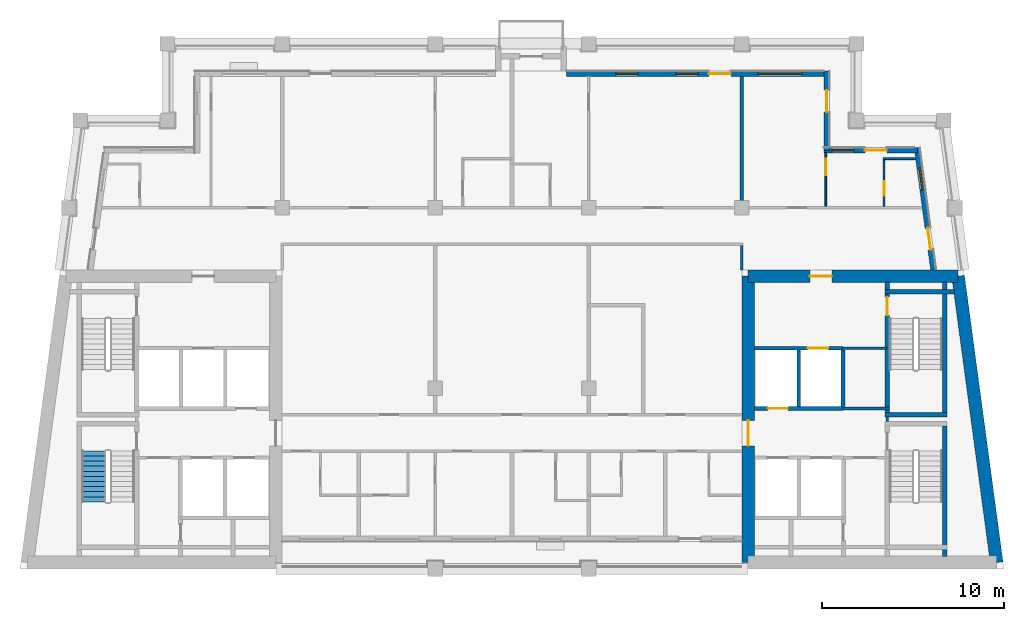
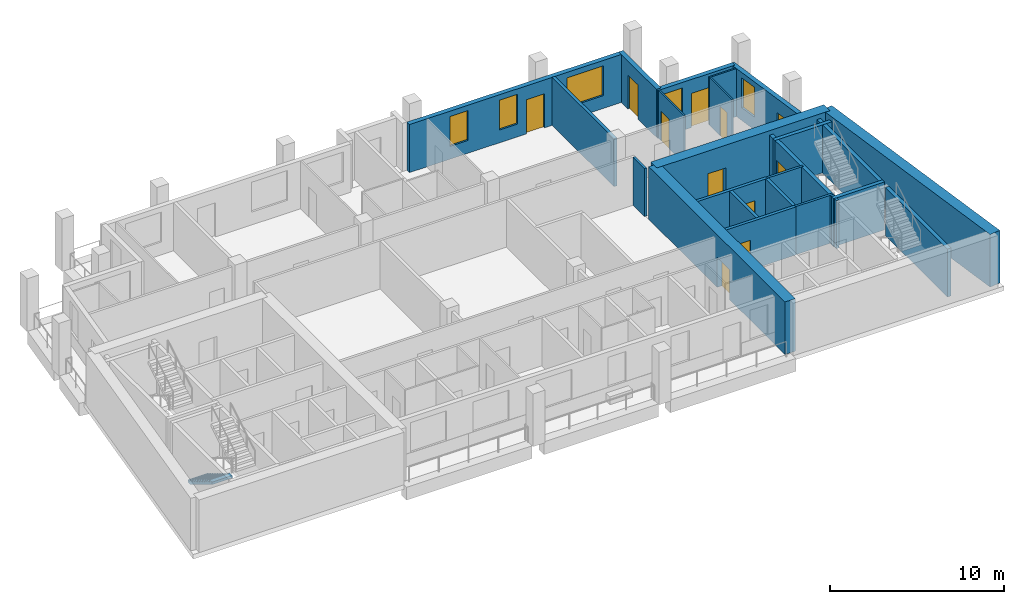
# One storey, part 5 of 10: 24 walls, 11 doors, 5 windows, 1 stair flight, 16 openings, 1 element without a shape of its own.
"""IFC4 building model written with IfcOpenShell, lengths in metres."""

from ifc_helpers import new_model, si_unit, direction, frame, frame_2d, origin, place, context, subcontext, project, spatial, polyline, rectangle, outline, extrude, material, layer, layer_set, type_object, element, fill, aggregate, save


model = new_model("IFC4")

# Units and contexts
model_context = context("Model", 3, precision=1e-05, world=origin(), true_north=direction((0.0, 1.0)))
body_context = subcontext(model_context, "Body", "Model", "MODEL_VIEW")
ifc_project = project(units=[si_unit("LENGTHUNIT", "METRE"), si_unit("AREAUNIT", "SQUARE_METRE"), si_unit("VOLUMEUNIT", "CUBIC_METRE"), si_unit("PLANEANGLEUNIT", "RADIAN"), si_unit("MASSUNIT", "GRAM", prefix="KILO")], contexts=[model_context])

# Site, building, storey
site_placement = place(None, origin())
site = spatial("IfcSite", under=ifc_project, at=site_placement, CompositionType="ELEMENT")
building_placement = place(site_placement, origin())
building = spatial("IfcBuilding", under=site, at=building_placement, Name="Candeia Pilgrim Tower and Theatre", CompositionType="ELEMENT")
storey_placement = place(building_placement, frame((0.0, 0.0, 284.89990234375)))
storey = spatial("IfcBuildingStorey", under=building, at=storey_placement, Name="L69", CompositionType="ELEMENT", Elevation=284.89990234375)

# Wall, opening, door
ifc_material_1 = material(Name="Concrete C40/50", Category="concrete")
ifc_layer_1 = layer(ifc_material_1, 0.699951171875)
ifc_layer_set_1 = layer_set([ifc_layer_1], Name="Core wall 700 C40/50")
wall_type_1 = type_object("IfcWallType", Name="Core wall 700 C40/50", PredefinedType="SHEAR", material=ifc_layer_set_1)
wall_1_placement = place(storey_placement, frame((126.35009765625, 132.050048828125, 0.0), z_axis=(0.0, 0.0, 1.0), x_axis=(1.0, 0.0, 0.0)))
wall_1 = element("IfcWall", 1, at=wall_1_placement, inside=storey, type_object=wall_type_1, Name="Core wall E1", PredefinedType="SHEAR", context=body_context, shape_type="SweptSolid", body=[
    extrude(rectangle(XDim=11.51318359375, YDim=0.699951171875, at=frame_2d((5.756591796875, 0.0))), origin(), (0.0, 0.0, 1.0), 3.7001953125),
])
opening_1_placement = place(wall_1_placement, frame((3.386474609375, 0.0, 0.0)))
opening_1 = element("IfcOpeningElement", 2, at=opening_1_placement, cuts=wall_1, Name="Opening L69-D038", PredefinedType="OPENING", context=body_context, shape_type="SweptSolid", body=[
    extrude(rectangle(XDim=1.199951171875, YDim=2.10009765625, at=frame_2d((0.60009765625, 1.050048828125))), frame((0.0, 0.35986328125, 0.0), z_axis=(0.0, -1.0, 0.0), x_axis=(1.0, 0.0, 0.0)), (0.0, 0.0, 1.0), 0.719970703125),
])
ifc_material_2 = material(Name="Steel fire door set", Category="steel")
door_type_1 = type_object("IfcDoorType", Name="D-1200-FD60", OperationType="NOTDEFINED", PredefinedType="DOOR", material=ifc_material_2)
door_1_placement = place(opening_1_placement, origin())
door_1 = element("IfcDoor", 3, at=door_1_placement, inside=storey, type_object=door_type_1, Name="Door L69-D038", OperationType="SINGLE_SWING_LEFT", OverallHeight=2.10009765625, OverallWidth=1.199951171875, PredefinedType="DOOR", context=body_context, shape_type="SweptSolid", body=[
    extrude(rectangle(XDim=1.199951171875, YDim=2.10009765625, at=frame_2d((0.60009765625, 1.050048828125))), frame((0.0, 0.02490234375, 0.0), z_axis=(0.0, -1.0, 0.0), x_axis=(1.0, 0.0, 0.0)), (0.0, 0.0, 1.0), 0.050048828125),
])
fill(opening_1, door_1)

# Wall
wall_2_placement = place(storey_placement, frame((137.86328125, 132.050048828125, 0.0), z_axis=(0.0, 0.0, 1.0), x_axis=(0.133401241494, -0.991062111458, 0.0)))
element("IfcWall", 4, at=wall_2_placement, inside=storey, type_object=wall_type_1, Name="Core wall E2", PredefinedType="SHEAR", context=body_context, shape_type="SweptSolid", body=[
    extrude(rectangle(XDim=15.841552734375, YDim=0.699951171875, at=frame_2d((7.9208984375, 0.0))), origin(), (0.0, 0.0, 1.0), 3.7001953125),
])

# Wall, opening, door
wall_3_placement = place(storey_placement, frame((126.35009765625, 116.35009765625, 0.0), z_axis=(0.0, 0.0, 1.0), x_axis=(0.0, 1.0, 0.0)))
wall_3 = element("IfcWall", 5, at=wall_3_placement, inside=storey, type_object=wall_type_1, Name="Core wall E4", PredefinedType="SHEAR", context=body_context, shape_type="SweptSolid", body=[
    extrude(rectangle(XDim=15.699951171875, YDim=0.699951171875, at=frame_2d((7.85009765625, 0.0))), origin(), (0.0, 0.0, 1.0), 3.7001953125),
])
opening_2_placement = place(wall_3_placement, frame((6.39990234375, 0.0, 0.0)))
opening_2 = element("IfcOpeningElement", 6, at=opening_2_placement, cuts=wall_3, Name="Opening L69-D039", PredefinedType="OPENING", context=body_context, shape_type="SweptSolid", body=[
    extrude(rectangle(XDim=1.39990234375, YDim=2.10009765625, at=frame_2d((0.699951171875, 1.050048828125))), frame((0.0, 0.35986328125, 0.0), z_axis=(0.0, -1.0, 0.0), x_axis=(1.0, 0.0, 0.0)), (0.0, 0.0, 1.0), 0.719970703125),
])
door_type_2 = type_object("IfcDoorType", Name="D-1400-FD60", OperationType="NOTDEFINED", PredefinedType="DOOR", material=ifc_material_2)
door_2_placement = place(opening_2_placement, origin())
door_2 = element("IfcDoor", 7, at=door_2_placement, inside=storey, type_object=door_type_2, Name="Door L69-D039", OperationType="SINGLE_SWING_RIGHT", OverallHeight=2.10009765625, OverallWidth=1.39990234375, PredefinedType="DOOR", context=body_context, shape_type="SweptSolid", body=[
    extrude(rectangle(XDim=1.39990234375, YDim=2.10009765625, at=frame_2d((0.699951171875, 1.050048828125))), frame((0.0, 0.02490234375, 0.0), z_axis=(0.0, -1.0, 0.0), x_axis=(1.0, 0.0, 0.0)), (0.0, 0.0, 1.0), 0.050048828125),
])
fill(opening_2, door_2)

# Wall, openings, door, window
ifc_material_3 = material(Name="Ceramic block masonry", Category="masonry")
ifc_layer_2 = layer(ifc_material_3, 0.300048828125)
ifc_layer_set_2 = layer_set([ifc_layer_2], Name="EW1 glazing-line wall 300")
wall_type_2 = type_object("IfcWallType", Name="EW1 glazing-line wall 300", PredefinedType="SOLIDWALL", material=ifc_layer_set_2)
wall_4_placement = place(storey_placement, frame((136.50439453125, 132.39990234375, 0.0), z_axis=(0.0, 0.0, 1.0), x_axis=(-0.133399697462, 0.99106231929, 0.0)))
wall_4 = element("IfcWall", 8, at=wall_4_placement, inside=storey, type_object=wall_type_2, Name="External wall L69-2.0", PredefinedType="SOLIDWALL", context=body_context, shape_type="SweptSolid", body=[
    extrude(rectangle(XDim=6.740478515625, YDim=0.300048828125, at=frame_2d((3.3701171875, 0.0))), origin(), (0.0, 0.0, 1.0), 3.380126953125),
])
opening_3_placement = place(wall_4_placement, frame((1.115234375, 0.0, 0.0)))
opening_3 = element("IfcOpeningElement", 9, at=opening_3_placement, cuts=wall_4, Name="Opening L69-ED647", PredefinedType="OPENING", context=body_context, shape_type="SweptSolid", body=[
    extrude(rectangle(XDim=1.199951171875, YDim=2.39990234375, at=frame_2d((0.60009765625, 1.199951171875))), frame((0.0, 0.16015625, 0.0), z_axis=(0.0, -1.0, 0.0), x_axis=(1.0, 0.0, 0.0)), (0.0, 0.0, 1.0), 0.320068359375),
])
opening_4_placement = place(wall_4_placement, frame((4.435546875, 0.0, 0.89990234375)))
opening_4 = element("IfcOpeningElement", 10, at=opening_4_placement, cuts=wall_4, Name="Opening W-B", PredefinedType="OPENING", context=body_context, shape_type="SweptSolid", body=[
    extrude(rectangle(XDim=1.199951171875, YDim=2.10009765625, at=frame_2d((0.60009765625, 1.050048828125))), frame((0.0, 0.16015625, 0.0), z_axis=(0.0, -1.0, 0.0), x_axis=(1.0, 0.0, 0.0)), (0.0, 0.0, 1.0), 0.320068359375),
])
ifc_material_4 = material(Name="Aluminium framed glazed door", Category="aluminium")
door_type_3 = type_object("IfcDoorType", Name="Loggia door 1200x2400", OperationType="DOUBLE_DOOR_SINGLE_SWING", PredefinedType="DOOR", material=ifc_material_4)
door_3_placement = place(opening_3_placement, origin())
door_3 = element("IfcDoor", 11, at=door_3_placement, inside=storey, type_object=door_type_3, Name="Loggia door L69-ED647", OperationType="DOUBLE_DOOR_SINGLE_SWING", OverallHeight=2.39990234375, OverallWidth=1.199951171875, PredefinedType="DOOR", context=body_context, shape_type="SweptSolid", body=[
    extrude(rectangle(XDim=1.199951171875, YDim=2.39990234375, at=frame_2d((0.60009765625, 1.199951171875))), frame((0.0, 0.02490234375, 0.0), z_axis=(0.0, -1.0, 0.0), x_axis=(1.0, 0.0, 0.0)), (0.0, 0.0, 1.0), 0.050048828125),
])
fill(opening_3, door_3)
ifc_material_5 = material(Name="Aluminium framed double glazing", Category="aluminium")
window_type_1 = type_object("IfcWindowType", Name="W-B window 1200x2100", PartitioningType="SINGLE_PANEL", PredefinedType="WINDOW", material=ifc_material_5)
window_1_placement = place(opening_4_placement, origin())
window_1 = element("IfcWindow", 12, at=window_1_placement, inside=storey, type_object=window_type_1, Name="Window W-B L69", OverallHeight=2.10009765625, OverallWidth=1.199951171875, PartitioningType="SINGLE_PANEL", PredefinedType="WINDOW", context=body_context, shape_type="SweptSolid", body=[
    extrude(rectangle(XDim=1.199951171875, YDim=2.10009765625, at=frame_2d((0.60009765625, 1.050048828125))), frame((0.0, 0.030029296875, 0.0), z_axis=(0.0, -1.0, 0.0), x_axis=(1.0, 0.0, 0.0)), (0.0, 0.0, 1.0), 0.06005859375),
])
fill(opening_4, window_1)

wall_5_placement = place(storey_placement, frame((135.62255859375, 138.949951171875, 0.0), z_axis=(0.0, 0.0, 1.0), x_axis=(-1.0, 0.0, 0.0)))
wall_5 = element("IfcWall", 13, at=wall_5_placement, inside=storey, type_object=wall_type_2, Name="External wall L69-3.0", PredefinedType="SOLIDWALL", context=body_context, shape_type="SweptSolid", body=[
    extrude(rectangle(XDim=5.12255859375, YDim=0.300048828125, at=frame_2d((2.561279296875, 0.0))), origin(), (0.0, 0.0, 1.0), 3.380126953125),
])
opening_5_placement = place(wall_5_placement, frame((1.672607421875, 0.0, 0.0)))
opening_5 = element("IfcOpeningElement", 14, at=opening_5_placement, cuts=wall_5, Name="Opening L69-ED648", PredefinedType="OPENING", context=body_context, shape_type="SweptSolid", body=[
    extrude(rectangle(XDim=1.199951171875, YDim=2.39990234375, at=frame_2d((0.60009765625, 1.199951171875))), frame((0.0, 0.16015625, 0.0), z_axis=(0.0, -1.0, 0.0), x_axis=(1.0, 0.0, 0.0)), (0.0, 0.0, 1.0), 0.320068359375),
])
opening_6_placement = place(wall_5_placement, frame((3.47265625, 0.0, 0.89990234375)))
opening_6 = element("IfcOpeningElement", 15, at=opening_6_placement, cuts=wall_5, Name="Opening W-B", PredefinedType="OPENING", context=body_context, shape_type="SweptSolid", body=[
    extrude(rectangle(XDim=1.199951171875, YDim=2.10009765625, at=frame_2d((0.60009765625, 1.050048828125))), frame((0.0, 0.16015625, 0.0), z_axis=(0.0, -1.0, 0.0), x_axis=(1.0, 0.0, 0.0)), (0.0, 0.0, 1.0), 0.320068359375),
])
door_4_placement = place(opening_5_placement, origin())
door_4 = element("IfcDoor", 16, at=door_4_placement, inside=storey, type_object=door_type_3, Name="Loggia door L69-ED648", OperationType="DOUBLE_DOOR_SINGLE_SWING", OverallHeight=2.39990234375, OverallWidth=1.199951171875, PredefinedType="DOOR", context=body_context, shape_type="SweptSolid", body=[
    extrude(rectangle(XDim=1.199951171875, YDim=2.39990234375, at=frame_2d((0.60009765625, 1.199951171875))), frame((0.0, 0.02490234375, 0.0), z_axis=(0.0, -1.0, 0.0), x_axis=(1.0, 0.0, 0.0)), (0.0, 0.0, 1.0), 0.050048828125),
])
fill(opening_5, door_4)
window_2_placement = place(opening_6_placement, origin())
window_2 = element("IfcWindow", 17, at=window_2_placement, inside=storey, type_object=window_type_1, Name="Window W-B L69", OverallHeight=2.10009765625, OverallWidth=1.199951171875, PartitioningType="SINGLE_PANEL", PredefinedType="WINDOW", context=body_context, shape_type="SweptSolid", body=[
    extrude(rectangle(XDim=1.199951171875, YDim=2.10009765625, at=frame_2d((0.60009765625, 1.050048828125))), frame((0.0, 0.030029296875, 0.0), z_axis=(0.0, -1.0, 0.0), x_axis=(1.0, 0.0, 0.0)), (0.0, 0.0, 1.0), 0.06005859375),
])
fill(opening_6, window_2)

# Wall, opening, door
wall_6_placement = place(storey_placement, frame((130.64990234375, 138.949951171875, 0.0), z_axis=(0.0, 0.0, 1.0), x_axis=(0.0, 1.0, 0.0)))
wall_6 = element("IfcWall", 18, at=wall_6_placement, inside=storey, type_object=wall_type_2, Name="External wall L69-4.0", PredefinedType="SOLIDWALL", context=body_context, shape_type="SweptSolid", body=[
    extrude(rectangle(XDim=4.35009765625, YDim=0.300048828125, at=frame_2d((2.175048828125, 0.0))), origin(), (0.0, 0.0, 1.0), 3.380126953125),
])
opening_7_placement = place(wall_6_placement, frame((2.10009765625, 0.0, 0.0)))
opening_7 = element("IfcOpeningElement", 19, at=opening_7_placement, cuts=wall_6, Name="Opening L69-ED649", PredefinedType="OPENING", context=body_context, shape_type="SweptSolid", body=[
    extrude(rectangle(XDim=1.199951171875, YDim=2.39990234375, at=frame_2d((0.60009765625, 1.199951171875))), frame((0.0, 0.16015625, 0.0), z_axis=(0.0, -1.0, 0.0), x_axis=(1.0, 0.0, 0.0)), (0.0, 0.0, 1.0), 0.320068359375),
])
door_5_placement = place(opening_7_placement, origin())
door_5 = element("IfcDoor", 20, at=door_5_placement, inside=storey, type_object=door_type_3, Name="Loggia door L69-ED649", OperationType="DOUBLE_DOOR_SINGLE_SWING", OverallHeight=2.39990234375, OverallWidth=1.199951171875, PredefinedType="DOOR", context=body_context, shape_type="SweptSolid", body=[
    extrude(rectangle(XDim=1.199951171875, YDim=2.39990234375, at=frame_2d((0.60009765625, 1.199951171875))), frame((0.0, 0.02490234375, 0.0), z_axis=(0.0, -1.0, 0.0), x_axis=(1.0, 0.0, 0.0)), (0.0, 0.0, 1.0), 0.050048828125),
])
fill(opening_7, door_5)

# Wall, openings, door, windows
wall_7_placement = place(storey_placement, frame((130.64990234375, 143.14990234375, 0.0), z_axis=(0.0, 0.0, 1.0), x_axis=(-1.0, 0.0, 0.0)))
wall_7 = element("IfcWall", 21, at=wall_7_placement, inside=storey, type_object=wall_type_2, Name="External wall L69-5.0", PredefinedType="SOLIDWALL", context=body_context, shape_type="SweptSolid", body=[
    extrude(rectangle(XDim=14.25, YDim=0.300048828125, at=frame_2d((7.125, 0.0))), origin(), (0.0, 0.0, 1.0), 3.380126953125),
])
opening_8_placement = place(wall_7_placement, frame((1.35009765625, 0.0, 0.89990234375)))
opening_8 = element("IfcOpeningElement", 22, at=opening_8_placement, cuts=wall_7, Name="Opening W-A", PredefinedType="OPENING", context=body_context, shape_type="SweptSolid", body=[
    extrude(rectangle(XDim=2.39990234375, YDim=2.10009765625, at=frame_2d((1.199951171875, 1.050048828125))), frame((0.0, 0.16015625, 0.0), z_axis=(0.0, -1.0, 0.0), x_axis=(1.0, 0.0, 0.0)), (0.0, 0.0, 1.0), 0.320068359375),
])
opening_9_placement = place(wall_7_placement, frame((5.25, 0.0, 0.0)))
opening_9 = element("IfcOpeningElement", 23, at=opening_9_placement, cuts=wall_7, Name="Opening L69-ED650", PredefinedType="OPENING", context=body_context, shape_type="SweptSolid", body=[
    extrude(rectangle(XDim=1.199951171875, YDim=2.39990234375, at=frame_2d((0.60009765625, 1.199951171875))), frame((0.0, 0.16015625, 0.0), z_axis=(0.0, -1.0, 0.0), x_axis=(1.0, 0.0, 0.0)), (0.0, 0.0, 1.0), 0.320068359375),
])
opening_10_placement = place(wall_7_placement, frame((7.050048828125, 0.0, 0.89990234375)))
opening_10 = element("IfcOpeningElement", 24, at=opening_10_placement, cuts=wall_7, Name="Opening W-B", PredefinedType="OPENING", context=body_context, shape_type="SweptSolid", body=[
    extrude(rectangle(XDim=1.199951171875, YDim=2.10009765625, at=frame_2d((0.60009765625, 1.050048828125))), frame((0.0, 0.16015625, 0.0), z_axis=(0.0, -1.0, 0.0), x_axis=(1.0, 0.0, 0.0)), (0.0, 0.0, 1.0), 0.320068359375),
])
opening_11_placement = place(wall_7_placement, frame((10.35009765625, 0.0, 0.89990234375)))
opening_11 = element("IfcOpeningElement", 25, at=opening_11_placement, cuts=wall_7, Name="Opening W-B", PredefinedType="OPENING", context=body_context, shape_type="SweptSolid", body=[
    extrude(rectangle(XDim=1.199951171875, YDim=2.10009765625, at=frame_2d((0.60009765625, 1.050048828125))), frame((0.0, 0.16015625, 0.0), z_axis=(0.0, -1.0, 0.0), x_axis=(1.0, 0.0, 0.0)), (0.0, 0.0, 1.0), 0.320068359375),
])
door_6_placement = place(opening_9_placement, origin())
door_6 = element("IfcDoor", 26, at=door_6_placement, inside=storey, type_object=door_type_3, Name="Loggia door L69-ED650", OperationType="DOUBLE_DOOR_SINGLE_SWING", OverallHeight=2.39990234375, OverallWidth=1.199951171875, PredefinedType="DOOR", context=body_context, shape_type="SweptSolid", body=[
    extrude(rectangle(XDim=1.199951171875, YDim=2.39990234375, at=frame_2d((0.60009765625, 1.199951171875))), frame((0.0, 0.02490234375, 0.0), z_axis=(0.0, -1.0, 0.0), x_axis=(1.0, 0.0, 0.0)), (0.0, 0.0, 1.0), 0.050048828125),
])
fill(opening_9, door_6)
window_type_2 = type_object("IfcWindowType", Name="W-A window 2400x2100", PartitioningType="DOUBLE_PANEL_VERTICAL", PredefinedType="WINDOW", material=ifc_material_5)
window_3_placement = place(opening_8_placement, origin())
window_3 = element("IfcWindow", 27, at=window_3_placement, inside=storey, type_object=window_type_2, Name="Window W-A L69", OverallHeight=2.10009765625, OverallWidth=2.39990234375, PartitioningType="SINGLE_PANEL", PredefinedType="WINDOW", context=body_context, shape_type="SweptSolid", body=[
    extrude(rectangle(XDim=2.39990234375, YDim=2.10009765625, at=frame_2d((1.199951171875, 1.050048828125))), frame((0.0, 0.030029296875, 0.0), z_axis=(0.0, -1.0, 0.0), x_axis=(1.0, 0.0, 0.0)), (0.0, 0.0, 1.0), 0.06005859375),
])
fill(opening_8, window_3)
window_4_placement = place(opening_10_placement, origin())
window_4 = element("IfcWindow", 28, at=window_4_placement, inside=storey, type_object=window_type_1, Name="Window W-B L69", OverallHeight=2.10009765625, OverallWidth=1.199951171875, PartitioningType="SINGLE_PANEL", PredefinedType="WINDOW", context=body_context, shape_type="SweptSolid", body=[
    extrude(rectangle(XDim=1.199951171875, YDim=2.10009765625, at=frame_2d((0.60009765625, 1.050048828125))), frame((0.0, 0.030029296875, 0.0), z_axis=(0.0, -1.0, 0.0), x_axis=(1.0, 0.0, 0.0)), (0.0, 0.0, 1.0), 0.06005859375),
])
fill(opening_10, window_4)
window_5_placement = place(opening_11_placement, origin())
window_5 = element("IfcWindow", 29, at=window_5_placement, inside=storey, type_object=window_type_1, Name="Window W-B L69", OverallHeight=2.10009765625, OverallWidth=1.199951171875, PartitioningType="SINGLE_PANEL", PredefinedType="WINDOW", context=body_context, shape_type="SweptSolid", body=[
    extrude(rectangle(XDim=1.199951171875, YDim=2.10009765625, at=frame_2d((0.60009765625, 1.050048828125))), frame((0.0, 0.030029296875, 0.0), z_axis=(0.0, -1.0, 0.0), x_axis=(1.0, 0.0, 0.0)), (0.0, 0.0, 1.0), 0.06005859375),
])
fill(opening_11, window_5)

# Wall
ifc_material_6 = material(Name="Gypsum board partition on steel studs", Category="steel")
ifc_layer_3 = layer(ifc_material_6, 0.10009765625)
ifc_layer_set_3 = layer_set([ifc_layer_3], Name="PW-100 room partition")
wall_type_3 = type_object("IfcWallType", Name="PW-100 room partition", PredefinedType="PARTITIONING", material=ifc_layer_set_3)
wall_8_placement = place(storey_placement, frame((133.75, 138.5, 0.0), z_axis=(0.0, 0.0, 1.0), x_axis=(1.0, 0.0, 0.0)))
element("IfcWall", 30, at=wall_8_placement, inside=storey, type_object=wall_type_3, Name="Room partition L69-037", PredefinedType="PARTITIONING", context=body_context, shape_type="SweptSolid", body=[
    extrude(rectangle(XDim=1.7919921875, YDim=0.10009765625, at=frame_2d((0.89599609375, 0.0))), origin(), (0.0, 0.0, 1.0), 3.380126953125),
])

# Wall, opening, door
wall_9_placement = place(storey_placement, frame((130.60009765625, 135.875, 0.0), z_axis=(0.0, 0.0, 1.0), x_axis=(0.0, 1.0, 0.0)))
wall_9 = element("IfcWall", 31, at=wall_9_placement, inside=storey, type_object=wall_type_3, Name="Room partition L69-075", PredefinedType="PARTITIONING", context=body_context, shape_type="SweptSolid", body=[
    extrude(rectangle(XDim=2.93505859375, YDim=0.10009765625, at=frame_2d((1.467529296875, 0.0))), origin(), (0.0, 0.0, 1.0), 3.380126953125),
])
opening_12_placement = place(wall_9_placement, frame((1.719970703125, 0.0, 0.0)))
opening_12 = element("IfcOpeningElement", 32, at=opening_12_placement, cuts=wall_9, Name="Opening L69-D030", PredefinedType="OPENING", context=body_context, shape_type="SweptSolid", body=[
    extrude(rectangle(XDim=0.89990234375, YDim=2.10009765625, at=frame_2d((0.449951171875, 1.050048828125))), frame((0.0, 0.06005859375, 0.0), z_axis=(0.0, -1.0, 0.0), x_axis=(1.0, 0.0, 0.0)), (0.0, 0.0, 1.0), 0.1201171875),
])
ifc_material_7 = material(Name="Timber door leaf", Category="wood")
door_type_4 = type_object("IfcDoorType", Name="D-900", OperationType="NOTDEFINED", PredefinedType="DOOR", material=ifc_material_7)
door_7_placement = place(opening_12_placement, origin())
door_7 = element("IfcDoor", 33, at=door_7_placement, inside=storey, type_object=door_type_4, Name="Door L69-D030", OperationType="SINGLE_SWING_LEFT", OverallHeight=2.10009765625, OverallWidth=0.89990234375, PredefinedType="DOOR", context=body_context, shape_type="SweptSolid", body=[
    extrude(rectangle(XDim=0.89990234375, YDim=2.10009765625, at=frame_2d((0.449951171875, 1.050048828125))), frame((0.0, 0.02490234375, 0.0), z_axis=(0.0, -1.0, 0.0), x_axis=(1.0, 0.0, 0.0)), (0.0, 0.0, 1.0), 0.050048828125),
])
fill(opening_12, door_7)

wall_10_placement = place(storey_placement, frame((133.800048828125, 135.875, 0.0), z_axis=(0.0, 0.0, 1.0), x_axis=(0.0, 1.0, 0.0)))
wall_10 = element("IfcWall", 34, at=wall_10_placement, inside=storey, type_object=wall_type_3, Name="Room partition L69-078", PredefinedType="PARTITIONING", context=body_context, shape_type="SweptSolid", body=[
    extrude(rectangle(XDim=2.574951171875, YDim=0.10009765625, at=frame_2d((1.28759765625, 0.0))), origin(), (0.0, 0.0, 1.0), 3.380126953125),
])
opening_13_placement = place(wall_10_placement, frame((0.574951171875, 0.0, 0.0)))
opening_13 = element("IfcOpeningElement", 35, at=opening_13_placement, cuts=wall_10, Name="Opening L69-D031", PredefinedType="OPENING", context=body_context, shape_type="SweptSolid", body=[
    extrude(rectangle(XDim=0.800048828125, YDim=2.10009765625, at=frame_2d((0.39990234375, 1.050048828125))), frame((0.0, 0.06005859375, 0.0), z_axis=(0.0, -1.0, 0.0), x_axis=(1.0, 0.0, 0.0)), (0.0, 0.0, 1.0), 0.1201171875),
])
door_type_5 = type_object("IfcDoorType", Name="D-800", OperationType="NOTDEFINED", PredefinedType="DOOR", material=ifc_material_7)
door_8_placement = place(opening_13_placement, origin())
door_8 = element("IfcDoor", 36, at=door_8_placement, inside=storey, type_object=door_type_5, Name="Door L69-D031", OperationType="SINGLE_SWING_RIGHT", OverallHeight=2.10009765625, OverallWidth=0.800048828125, PredefinedType="DOOR", context=body_context, shape_type="SweptSolid", body=[
    extrude(rectangle(XDim=0.800048828125, YDim=2.10009765625, at=frame_2d((0.39990234375, 1.050048828125))), frame((0.0, 0.02490234375, 0.0), z_axis=(0.0, -1.0, 0.0), x_axis=(1.0, 0.0, 0.0)), (0.0, 0.0, 1.0), 0.050048828125),
])
fill(opening_13, door_8)

# Walls
ifc_layer_4 = layer(ifc_material_6, 0.14990234375)
ifc_layer_set_4 = layer_set([ifc_layer_4], Name="PW-150 lobby wall")
wall_type_4 = type_object("IfcWallType", Name="PW-150 lobby wall", PredefinedType="PARTITIONING", material=ifc_layer_set_4)
wall_11_placement = place(storey_placement, frame((131.548583984375, 124.800048828125, 0.0), z_axis=(0.0, 0.0, 1.0), x_axis=(1.0, 0.0, 0.0)))
element("IfcWall", 37, at=wall_11_placement, inside=storey, type_object=wall_type_4, Name="Lobby wall L69-025", PredefinedType="PARTITIONING", context=body_context, shape_type="SweptSolid", body=[
    extrude(rectangle(XDim=2.54931640625, YDim=0.14990234375, at=frame_2d((1.274658203125, 0.0))), origin(), (0.0, 0.0, 1.0), 3.380126953125),
])
wall_12_placement = place(storey_placement, frame((131.548583984375, 128.10009765625, 0.0), z_axis=(0.0, 0.0, 1.0), x_axis=(1.0, 0.0, 0.0)))
element("IfcWall", 38, at=wall_12_placement, inside=storey, type_object=wall_type_4, Name="Lobby wall L69-028", PredefinedType="PARTITIONING", context=body_context, shape_type="SweptSolid", body=[
    extrude(rectangle(XDim=2.42431640625, YDim=0.14990234375, at=frame_2d((1.212158203125, 0.0))), origin(), (0.0, 0.0, 1.0), 3.380126953125),
])
wall_13_placement = place(storey_placement, frame((133.972900390625, 124.074951171875, 0.0), z_axis=(0.0, 0.0, 1.0), x_axis=(0.0, 1.0, 0.0)))
element("IfcWall", 39, at=wall_13_placement, inside=storey, type_object=wall_type_4, Name="Lobby wall L69-079", PredefinedType="PARTITIONING", context=body_context, shape_type="SweptSolid", body=[
    extrude(rectangle(XDim=0.25, YDim=0.14990234375, at=frame_2d((0.125, 0.0))), origin(), (0.0, 0.0, 1.0), 3.380126953125),
])
ifc_layer_5 = layer(ifc_material_6, 0.14990234375)
ifc_layer_set_5 = layer_set([ifc_layer_5], Name="PW-150 unit wall")
wall_type_5 = type_object("IfcWallType", Name="PW-150 unit wall", PredefinedType="PARTITIONING", material=ifc_layer_set_5)
wall_14_placement = place(storey_placement, frame((126.0, 132.39990234375, 0.0), z_axis=(0.0, 0.0, 1.0), x_axis=(0.0, 1.0, 0.0)))
element("IfcWall", 40, at=wall_14_placement, inside=storey, type_object=wall_type_5, Name="Unit wall L69-071", PredefinedType="PARTITIONING", context=body_context, shape_type="SweptSolid", body=[
    extrude(rectangle(XDim=1.3251953125, YDim=0.14990234375, at=frame_2d((0.66259765625, 0.0))), origin(), (0.0, 0.0, 1.0), 3.380126953125),
])
ifc_layer_6 = layer(ifc_material_6, 0.199951171875)
ifc_layer_set_6 = layer_set([ifc_layer_6], Name="PW-200 party wall")
wall_type_6 = type_object("IfcWallType", Name="PW-200 party wall", PredefinedType="PARTITIONING", material=ifc_layer_set_6)
wall_15_placement = place(storey_placement, frame((126.0, 135.875, 0.0), z_axis=(0.0, 0.0, 1.0), x_axis=(0.0, 1.0, 0.0)))
element("IfcWall", 41, at=wall_15_placement, inside=storey, type_object=wall_type_6, Name="Party wall L69-070", PredefinedType="PARTITIONING", context=body_context, shape_type="SweptSolid", body=[
    extrude(rectangle(XDim=7.135009765625, YDim=0.199951171875, at=frame_2d((3.5673828125, 0.0))), origin(), (0.0, 0.0, 1.0), 3.380126953125),
])

# Wall, opening, door
ifc_layer_7 = layer(ifc_material_1, 0.199951171875)
ifc_layer_set_7 = layer_set([ifc_layer_7], Name="SW-200 shaft wall")
wall_type_7 = type_object("IfcWallType", Name="SW-200 shaft wall", PredefinedType="PARTITIONING", material=ifc_layer_set_7)
wall_16_placement = place(storey_placement, frame((126.699951171875, 124.800048828125, 0.0), z_axis=(0.0, 0.0, 1.0), x_axis=(1.0, 0.0, 0.0)))
wall_16 = element("IfcWall", 42, at=wall_16_placement, inside=storey, type_object=wall_type_7, Name="Shaft wall L69-024", PredefinedType="PARTITIONING", context=body_context, shape_type="SweptSolid", body=[
    extrude(rectangle(XDim=4.8486328125, YDim=0.199951171875, at=frame_2d((2.42431640625, 0.0))), origin(), (0.0, 0.0, 1.0), 3.380126953125),
])
opening_14_placement = place(wall_16_placement, frame((0.72509765625, 0.0, 0.0)))
opening_14 = element("IfcOpeningElement", 43, at=opening_14_placement, cuts=wall_16, Name="Opening L69-LD08", PredefinedType="OPENING", context=body_context, shape_type="SweptSolid", body=[
    extrude(rectangle(XDim=1.10009765625, YDim=2.10009765625, at=frame_2d((0.550048828125, 1.050048828125))), frame((0.0, 0.10986328125, 0.0), z_axis=(0.0, -1.0, 0.0), x_axis=(1.0, 0.0, 0.0)), (0.0, 0.0, 1.0), 0.219970703125),
])
ifc_material_8 = material(Name="Glazed aluminium landing door", Category="aluminium")
door_type_6 = type_object("IfcDoorType", Name="LD-1100-EI120", OperationType="SLIDING_TO_LEFT", PredefinedType="DOOR", material=ifc_material_8)
door_9_placement = place(opening_14_placement, origin())
door_9 = element("IfcDoor", 44, at=door_9_placement, inside=storey, type_object=door_type_6, Name="Landing door 08 L69", OperationType="SLIDING_TO_LEFT", OverallHeight=2.10009765625, OverallWidth=1.10009765625, PredefinedType="DOOR", context=body_context, shape_type="SweptSolid", body=[
    extrude(rectangle(XDim=1.10009765625, YDim=2.10009765625, at=frame_2d((0.550048828125, 1.050048828125))), frame((0.0, 0.02490234375, 0.0), z_axis=(0.0, -1.0, 0.0), x_axis=(1.0, 0.0, 0.0)), (0.0, 0.0, 1.0), 0.050048828125),
])
fill(opening_14, door_9)

wall_17_placement = place(storey_placement, frame((126.699951171875, 128.10009765625, 0.0), z_axis=(0.0, 0.0, 1.0), x_axis=(1.0, 0.0, 0.0)))
wall_17 = element("IfcWall", 45, at=wall_17_placement, inside=storey, type_object=wall_type_7, Name="Shaft wall L69-027", PredefinedType="PARTITIONING", context=body_context, shape_type="SweptSolid", body=[
    extrude(rectangle(XDim=4.8486328125, YDim=0.199951171875, at=frame_2d((2.42431640625, 0.0))), origin(), (0.0, 0.0, 1.0), 3.380126953125),
])
opening_15_placement = place(wall_17_placement, frame((2.929931640625, 0.0, 0.0)))
opening_15 = element("IfcOpeningElement", 46, at=opening_15_placement, cuts=wall_17, Name="Opening L69-LD07", PredefinedType="OPENING", context=body_context, shape_type="SweptSolid", body=[
    extrude(rectangle(XDim=1.10009765625, YDim=2.10009765625, at=frame_2d((0.550048828125, 1.050048828125))), frame((0.0, 0.10986328125, 0.0), z_axis=(0.0, -1.0, 0.0), x_axis=(1.0, 0.0, 0.0)), (0.0, 0.0, 1.0), 0.219970703125),
])
door_10_placement = place(opening_15_placement, origin())
door_10 = element("IfcDoor", 47, at=door_10_placement, inside=storey, type_object=door_type_6, Name="Landing door 07 L69", OperationType="SLIDING_TO_LEFT", OverallHeight=2.10009765625, OverallWidth=1.10009765625, PredefinedType="DOOR", context=body_context, shape_type="SweptSolid", body=[
    extrude(rectangle(XDim=1.10009765625, YDim=2.10009765625, at=frame_2d((0.550048828125, 1.050048828125))), frame((0.0, 0.02490234375, 0.0), z_axis=(0.0, -1.0, 0.0), x_axis=(1.0, 0.0, 0.0)), (0.0, 0.0, 1.0), 0.050048828125),
])
fill(opening_15, door_10)

# Walls
for number, where, z_axis, x_axis, name in (
    (48, (129.124267578125, 124.89990234375, 0.0), (0.0, 0.0, 1.0), (0.0, 1.0, 0.0), "Shaft wall L69-073"),
    (49, (131.548583984375, 124.89990234375, 0.0), (0.0, 0.0, 1.0), (0.0, 1.0, 0.0), "Shaft wall L69-076"),
):
    element("IfcWall", number, at=place(storey_placement, frame(where, z_axis=z_axis, x_axis=x_axis)), inside=storey, type_object=wall_type_7, Name=name, PredefinedType="PARTITIONING", context=body_context, shape_type="SweptSolid", body=[
        extrude(rectangle(XDim=3.10009765625, YDim=0.199951171875, at=frame_2d((1.550048828125, 0.0))), origin(), (0.0, 0.0, 1.0), 3.380126953125),
    ])
ifc_layer_8 = layer(ifc_material_1, 0.25)
ifc_layer_set_8 = layer_set([ifc_layer_8], Name="SW-250 stair wall")
wall_type_8 = type_object("IfcWallType", Name="SW-250 stair wall", PredefinedType="PARTITIONING", material=ifc_layer_set_8)
wall_18_placement = place(storey_placement, frame((133.847900390625, 124.449951171875, 0.0), z_axis=(0.0, 0.0, 1.0), x_axis=(1.0, 0.0, 0.0)))
element("IfcWall", 50, at=wall_18_placement, inside=storey, type_object=wall_type_8, Name="Stair wall L69-021", PredefinedType="PARTITIONING", context=body_context, shape_type="SweptSolid", body=[
    extrude(rectangle(XDim=3.400146484375, YDim=0.25, at=frame_2d((1.7001953125, 0.0))), origin(), (0.0, 0.0, 1.0), 3.380126953125),
])
wall_19_placement = place(storey_placement, frame((133.847900390625, 131.199951171875, 0.0), z_axis=(0.0, 0.0, 1.0), x_axis=(1.0, 0.0, 0.0)))
element("IfcWall", 51, at=wall_19_placement, inside=storey, type_object=wall_type_8, Name="Stair wall L69-031", PredefinedType="PARTITIONING", context=body_context, shape_type="SweptSolid", body=[
    extrude(rectangle(XDim=3.806640625, YDim=0.25, at=frame_2d((1.9033203125, 0.0))), origin(), (0.0, 0.0, 1.0), 3.380126953125),
])

# Wall, opening, door
wall_20_placement = place(storey_placement, frame((133.972900390625, 124.574951171875, 0.0), z_axis=(0.0, 0.0, 1.0), x_axis=(0.0, 1.0, 0.0)))
wall_20 = element("IfcWall", 52, at=wall_20_placement, inside=storey, type_object=wall_type_8, Name="Stair wall L69-081", PredefinedType="PARTITIONING", context=body_context, shape_type="SweptSolid", body=[
    extrude(rectangle(XDim=7.155029296875, YDim=0.25, at=frame_2d((3.57763671875, 0.0))), origin(), (0.0, 0.0, 1.0), 3.380126953125),
])
opening_16_placement = place(wall_20_placement, frame((5.324951171875, 0.0, 0.0)))
opening_16 = element("IfcOpeningElement", 53, at=opening_16_placement, cuts=wall_20, Name="Opening L69-D007", PredefinedType="OPENING", context=body_context, shape_type="SweptSolid", body=[
    extrude(rectangle(XDim=1.0, YDim=2.10009765625, at=frame_2d((0.5, 1.050048828125))), frame((0.0, 0.135009765625, 0.0), z_axis=(0.0, -1.0, 0.0), x_axis=(1.0, 0.0, 0.0)), (0.0, 0.0, 1.0), 0.27001953125),
])
door_type_7 = type_object("IfcDoorType", Name="D-1000-FD60", OperationType="NOTDEFINED", PredefinedType="DOOR", material=ifc_material_2)
door_11_placement = place(opening_16_placement, origin())
door_11 = element("IfcDoor", 54, at=door_11_placement, inside=storey, type_object=door_type_7, Name="Door L69-D007", OperationType="SINGLE_SWING_RIGHT", OverallHeight=2.10009765625, OverallWidth=1.0, PredefinedType="DOOR", context=body_context, shape_type="SweptSolid", body=[
    extrude(rectangle(XDim=1.0, YDim=2.10009765625, at=frame_2d((0.5, 1.050048828125))), frame((0.0, 0.02490234375, 0.0), z_axis=(0.0, -1.0, 0.0), x_axis=(1.0, 0.0, 0.0)), (0.0, 0.0, 1.0), 0.050048828125),
])
fill(opening_16, door_11)

# Walls
for number, where, z_axis, x_axis, name in (
    (55, (137.123046875, 116.669921875, 0.0), (0.0, 0.0, 1.0), (0.0, 1.0, 0.0), "Stair wall L69-082"),
    (56, (137.123046875, 124.574951171875, 0.0), (0.0, 0.0, 1.0), (0.0, 1.0, 0.0), "Stair wall L69-083"),
):
    element("IfcWall", number, at=place(storey_placement, frame(where, z_axis=z_axis, x_axis=x_axis)), inside=storey, type_object=wall_type_8, Name=name, PredefinedType="PARTITIONING", context=body_context, shape_type="SweptSolid", body=[
        extrude(rectangle(XDim=7.155029296875, YDim=0.25, at=frame_2d((3.57763671875, 0.0))), origin(), (0.0, 0.0, 1.0), 3.380126953125),
    ])

# Stair, stair flight
stair_type = type_object("IfcStairType", Name="ST-TWR dog-leg escape stair", PredefinedType="HALF_TURN_STAIR", material=ifc_material_1)
stair_placement = place(storey_placement, origin())
stair = element("IfcStair", 57, at=stair_placement, inside=storey, type_object=stair_type, Name="L69 Escape stair ST1", PredefinedType="HALF_TURN_STAIR")
stair_flight_type = type_object("IfcStairFlightType", Name="SFL-RC stair flight", PredefinedType="STRAIGHT", material=ifc_material_1)
stair_flight_placement = place(storey_placement, frame((90.47705078125, 122.47509765625, 0.0), z_axis=(0.0, 0.0, 1.0), x_axis=(0.0, -1.0, 0.0)))
stair_flight = element("IfcStairFlight", 58, at=stair_flight_placement, type_object=stair_flight_type, Name="ST1 flight 1", NumberOfRisers=11, NumberOfTreads=10, PredefinedType="STRAIGHT", RiserHeight=0.168181818, TreadLength=0.28, context=body_context, shape_type="SweptSolid", body=[
    extrude(outline(polyline([(0.0, 0.0), (0.0, 0.168212890625), (0.280029296875, 0.168212890625), (0.280029296875, 0.33642578125), (0.56005859375, 0.33642578125), (0.56005859375, 0.504638671875), (0.840087890625, 0.504638671875), (0.840087890625, 0.672607421875), (1.1201171875, 0.672607421875), (1.1201171875, 0.8408203125), (1.39990234375, 0.8408203125), (1.39990234375, 1.009033203125), (1.679931640625, 1.009033203125), (1.679931640625, 1.17724609375), (1.9599609375, 1.17724609375), (1.9599609375, 1.345458984375), (2.239990234375, 1.345458984375), (2.239990234375, 1.513671875), (2.52001953125, 1.513671875), (2.52001953125, 1.681884765625), (2.800048828125, 1.681884765625), (2.800048828125, 1.85009765625), (2.800048828125, 1.5068359375), (0.291015625, 0.0), (0.0, 0.0)])), frame((0.0, 0.675048828125, 0.0), z_axis=(0.0, -1.0, 0.0), x_axis=(1.0, 0.0, 0.0)), (0.0, 0.0, 1.0), 1.35009765625),
])
aggregate(stair, [stair_flight])

save(model, "model.ifc")
